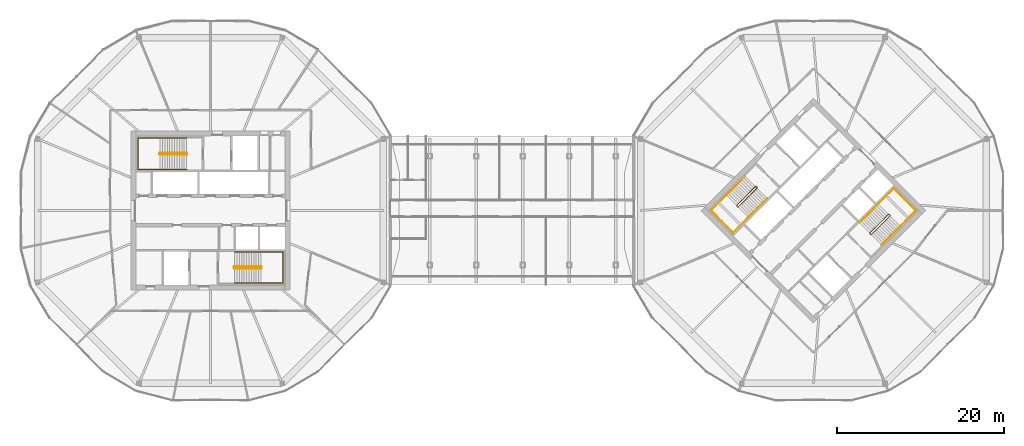
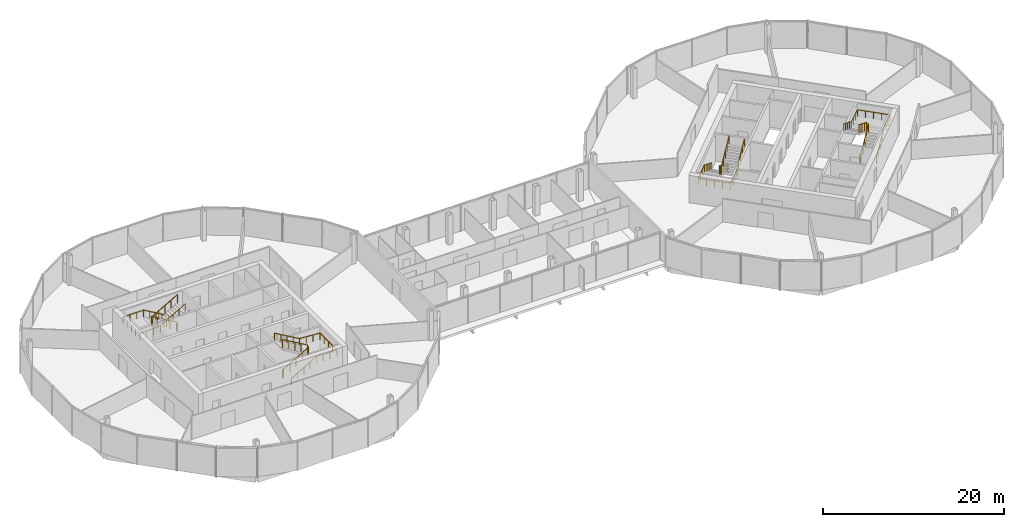
# One storey, part 26 of 26: 8 railings.
"""IFC4 building model written with IfcOpenShell, lengths in metres."""

from ifc_helpers import new_model, si_unit, direction, frame, origin, origin_2d, place, context, subcontext, project, spatial, circle, extrude, material, type_object, element, save


model = new_model("IFC4")

# Units and contexts
model_context = context("Model", 3, precision=1e-05, world=origin(), true_north=direction((0.0, 1.0)))
body_context = subcontext(model_context, "Body", "Model", "MODEL_VIEW")
ifc_project = project(units=[si_unit("LENGTHUNIT", "METRE"), si_unit("AREAUNIT", "SQUARE_METRE"), si_unit("VOLUMEUNIT", "CUBIC_METRE"), si_unit("PLANEANGLEUNIT", "RADIAN"), si_unit("MASSUNIT", "GRAM", prefix="KILO")], contexts=[model_context])

# Site, building, storey
site_placement = place(None, origin())
site = spatial("IfcSite", under=ifc_project, at=site_placement, CompositionType="ELEMENT")
building_placement = place(site_placement, origin())
building = spatial("IfcBuilding", under=site, at=building_placement, Name="Ogive Gate Towers", CompositionType="ELEMENT")
storey_placement = place(building_placement, frame((0.0, 0.0, 148.800048828125)))
storey = spatial("IfcBuildingStorey", under=building, at=storey_placement, Name="L35", CompositionType="ELEMENT", Elevation=148.800048828125)

# Railings
ifc_material = material(Name="Stainless steel", Category="steel")
railing_type_1 = type_object("IfcRailingType", Name="Stair guard 1100", PredefinedType="GUARDRAIL", material=ifc_material)
railing_1_placement = place(storey_placement, frame((-38.81494140625, 6.860107421875, 0.0)))
element("IfcRailing", 1, at=railing_1_placement, inside=storey, type_object=railing_type_1, Name="L35 ST1 stair guard 1", PredefinedType="GUARDRAIL", context=body_context, shape_type="SweptSolid", body=[
    extrude(circle(Radius=0.02392578125, at=origin_2d()), frame((0.0, 0.0, 1.076171875), z_axis=(0.0, -1.0, 0.0), x_axis=(1.0, 0.0, 0.0)), (0.0, 0.0, 1.0), 0.14501953125),
    extrude(circle(Radius=0.02392578125, at=origin_2d()), frame((0.0, -0.14501953125, 1.076171875), z_axis=(-0.19166807023, 0.746103024601, 0.637646945837), x_axis=(-0.968551454522, -0.24881334358, 0.0)), (0.0, 0.0, 1.0), 0.26123046875),
    extrude(circle(Radius=0.02392578125, at=origin_2d()), frame((-0.050048828125, 0.0498046875, 1.24267578125), z_axis=(-0.86512740231, 0.0, 0.501552168546), x_axis=(0.0, -1.0, 0.0)), (0.0, 0.0, 1.0), 3.65576171875),
    extrude(circle(Radius=0.02392578125, at=origin_2d()), frame((-3.212646484375, 0.0498046875, 3.076171875), z_axis=(-0.707106781187, -0.707106781187, 0.0), x_axis=(0.707106781187, -0.707106781187, 0.0)), (0.0, 0.0, 1.0), 0.0703125),
    extrude(circle(Radius=0.02392578125, at=origin_2d()), frame((-3.262451171875, 0.0, 3.076171875), z_axis=(0.0, -1.0, 0.0), x_axis=(1.0, 0.0, 0.0)), (0.0, 0.0, 1.0), 0.14501953125),
    extrude(circle(Radius=0.02392578125, at=origin_2d()), frame((-3.262451171875, -0.14501953125, 3.076171875), z_axis=(0.275382897532, -0.276732813696, 0.920642824102), x_axis=(0.708833529934, 0.705375805398, 0.0)), (0.0, 0.0, 1.0), 0.180908203125),
    extrude(circle(Radius=0.02392578125, at=origin_2d()), frame((-3.212646484375, -0.195068359375, 3.24267578125), z_axis=(0.86512740231, 0.0, 0.501552168546), x_axis=(0.0, 1.0, 0.0)), (0.0, 0.0, 1.0), 3.65576171875),
    extrude(circle(Radius=0.02099609375, at=origin_2d()), origin(), (0.0, 0.0, 1.0), 1.052001953125),
    extrude(circle(Radius=0.02099609375, at=origin_2d()), frame((0.0, -0.14501953125, 0.0)), (0.0, 0.0, 1.0), 1.052001953125),
    extrude(circle(Radius=0.02099609375, at=origin_2d()), frame((-0.050048828125, 0.0498046875, 0.16650390625)), (0.0, 0.0, 1.0), 1.052001953125),
    extrude(circle(Radius=0.02099609375, at=origin_2d()), frame((-0.8408203125, 0.0498046875, 0.625)), (0.0, 0.0, 1.0), 1.052001953125),
    extrude(circle(Radius=0.02099609375, at=origin_2d()), frame((-1.63134765625, 0.0498046875, 1.083251953125)), (0.0, 0.0, 1.0), 1.052001953125),
    extrude(circle(Radius=0.02099609375, at=origin_2d()), frame((-2.421875, 0.0498046875, 1.54150390625)), (0.0, 0.0, 1.0), 1.052001953125),
    extrude(circle(Radius=0.02099609375, at=origin_2d()), frame((-3.212646484375, 0.0498046875, 2.0)), (0.0, 0.0, 1.0), 1.052001953125),
    extrude(circle(Radius=0.02099609375, at=origin_2d()), frame((-3.262451171875, 0.0, 2.0)), (0.0, 0.0, 1.0), 1.052001953125),
    extrude(circle(Radius=0.02099609375, at=origin_2d()), frame((-3.262451171875, -0.14501953125, 2.0)), (0.0, 0.0, 1.0), 1.052001953125),
    extrude(circle(Radius=0.02099609375, at=origin_2d()), frame((-3.212646484375, -0.195068359375, 2.16650390625)), (0.0, 0.0, 1.0), 1.052001953125),
    extrude(circle(Radius=0.02099609375, at=origin_2d()), frame((-2.421875, -0.195068359375, 2.625)), (0.0, 0.0, 1.0), 1.052001953125),
    extrude(circle(Radius=0.02099609375, at=origin_2d()), frame((-1.63134765625, -0.195068359375, 3.083251953125)), (0.0, 0.0, 1.0), 1.052001953125),
    extrude(circle(Radius=0.02099609375, at=origin_2d()), frame((-0.8408203125, -0.195068359375, 3.54150390625)), (0.0, 0.0, 1.0), 1.052001953125),
    extrude(circle(Radius=0.02099609375, at=origin_2d()), frame((-0.050048828125, -0.195068359375, 4.0)), (0.0, 0.0, 1.0), 1.052001953125),
])
railing_2_placement = place(storey_placement, frame((-33.18505859375, -6.860107421875, 0.0)))
element("IfcRailing", 2, at=railing_2_placement, inside=storey, type_object=railing_type_1, Name="L35 ST2 stair guard 1", PredefinedType="GUARDRAIL", context=body_context, shape_type="SweptSolid", body=[
    extrude(circle(Radius=0.02392578125, at=origin_2d()), frame((0.0, 0.0, 1.076171875), z_axis=(0.0, 1.0, 0.0), x_axis=(-1.0, 0.0, 0.0)), (0.0, 0.0, 1.0), 0.14501953125),
    extrude(circle(Radius=0.02392578125, at=origin_2d()), frame((0.0, 0.14501953125, 1.076171875), z_axis=(0.19166807023, -0.746103024601, 0.637646945837), x_axis=(0.968551454522, 0.24881334358, 0.0)), (0.0, 0.0, 1.0), 0.26123046875),
    extrude(circle(Radius=0.02392578125, at=origin_2d()), frame((0.050048828125, -0.0498046875, 1.24267578125), z_axis=(0.86512740231, 0.0, 0.501552168546), x_axis=(0.0, 1.0, 0.0)), (0.0, 0.0, 1.0), 3.65576171875),
    extrude(circle(Radius=0.02392578125, at=origin_2d()), frame((3.212646484375, -0.0498046875, 3.076171875), z_axis=(0.707106781187, 0.707106781187, 0.0), x_axis=(-0.707106781187, 0.707106781187, 0.0)), (0.0, 0.0, 1.0), 0.0703125),
    extrude(circle(Radius=0.02392578125, at=origin_2d()), frame((3.262451171875, 0.0, 3.076171875), z_axis=(0.0, 1.0, 0.0), x_axis=(-1.0, 0.0, 0.0)), (0.0, 0.0, 1.0), 0.14501953125),
    extrude(circle(Radius=0.02392578125, at=origin_2d()), frame((3.262451171875, 0.14501953125, 3.076171875), z_axis=(-0.275382897532, 0.276732813696, 0.920642824102), x_axis=(-0.708833529934, -0.705375805398, 0.0)), (0.0, 0.0, 1.0), 0.180908203125),
    extrude(circle(Radius=0.02392578125, at=origin_2d()), frame((3.212646484375, 0.195068359375, 3.24267578125), z_axis=(-0.86512740231, 0.0, 0.501552168546), x_axis=(0.0, -1.0, 0.0)), (0.0, 0.0, 1.0), 3.65576171875),
    extrude(circle(Radius=0.02099609375, at=origin_2d()), origin(), (0.0, 0.0, 1.0), 1.052001953125),
    extrude(circle(Radius=0.02099609375, at=origin_2d()), frame((0.0, 0.14501953125, 0.0)), (0.0, 0.0, 1.0), 1.052001953125),
    extrude(circle(Radius=0.02099609375, at=origin_2d()), frame((0.050048828125, -0.0498046875, 0.16650390625)), (0.0, 0.0, 1.0), 1.052001953125),
    extrude(circle(Radius=0.02099609375, at=origin_2d()), frame((0.8408203125, -0.0498046875, 0.625)), (0.0, 0.0, 1.0), 1.052001953125),
    extrude(circle(Radius=0.02099609375, at=origin_2d()), frame((1.63134765625, -0.0498046875, 1.083251953125)), (0.0, 0.0, 1.0), 1.052001953125),
    extrude(circle(Radius=0.02099609375, at=origin_2d()), frame((2.421875, -0.0498046875, 1.54150390625)), (0.0, 0.0, 1.0), 1.052001953125),
    extrude(circle(Radius=0.02099609375, at=origin_2d()), frame((3.212646484375, -0.0498046875, 2.0)), (0.0, 0.0, 1.0), 1.052001953125),
    extrude(circle(Radius=0.02099609375, at=origin_2d()), frame((3.262451171875, 0.0, 2.0)), (0.0, 0.0, 1.0), 1.052001953125),
    extrude(circle(Radius=0.02099609375, at=origin_2d()), frame((3.262451171875, 0.14501953125, 2.0)), (0.0, 0.0, 1.0), 1.052001953125),
    extrude(circle(Radius=0.02099609375, at=origin_2d()), frame((3.212646484375, 0.195068359375, 2.16650390625)), (0.0, 0.0, 1.0), 1.052001953125),
    extrude(circle(Radius=0.02099609375, at=origin_2d()), frame((2.421875, 0.195068359375, 2.625)), (0.0, 0.0, 1.0), 1.052001953125),
    extrude(circle(Radius=0.02099609375, at=origin_2d()), frame((1.63134765625, 0.195068359375, 3.083251953125)), (0.0, 0.0, 1.0), 1.052001953125),
    extrude(circle(Radius=0.02099609375, at=origin_2d()), frame((0.8408203125, 0.195068359375, 3.54150390625)), (0.0, 0.0, 1.0), 1.052001953125),
    extrude(circle(Radius=0.02099609375, at=origin_2d()), frame((0.050048828125, 0.195068359375, 4.0)), (0.0, 0.0, 1.0), 1.052001953125),
])
railing_3_placement = place(storey_placement, frame((29.15869140625, 2.8603515625, 0.0)))
element("IfcRailing", 3, at=railing_3_placement, inside=storey, type_object=railing_type_1, Name="L35 ST1 stair guard 1", PredefinedType="GUARDRAIL", context=body_context, shape_type="SweptSolid", body=[
    extrude(circle(Radius=0.02392578125, at=origin_2d()), frame((0.0, 0.0, 1.076171875), z_axis=(0.707106781187, -0.707106781187, 0.0), x_axis=(0.707106781187, 0.707106781187, 0.0)), (0.0, 0.0, 1.0), 0.14501953125),
    extrude(circle(Radius=0.02392578125, at=origin_2d()), frame((0.1025390625, -0.1025390625, 1.076171875), z_axis=(-0.662818031471, 0.39264255743, 0.637576724208), x_axis=(-0.509669330572, -0.860370369942, 0.0)), (0.0, 0.0, 1.0), 0.26123046875),
    extrude(circle(Radius=0.02392578125, at=origin_2d()), frame((-0.070556640625, 0.0, 1.24267578125), z_axis=(-0.611739783828, -0.611739783828, 0.501546482156), x_axis=(0.707106781187, -0.707106781187, 0.0)), (0.0, 0.0, 1.0), 3.65576171875),
    extrude(circle(Radius=0.02392578125, at=origin_2d()), frame((-2.306884765625, -2.236328125, 3.076171875), z_axis=(0.0, -1.0, 0.0), x_axis=(1.0, 0.0, 0.0)), (0.0, 0.0, 1.0), 0.07080078125),
    extrude(circle(Radius=0.02392578125, at=origin_2d()), frame((-2.306884765625, -2.30712890625, 3.076171875), z_axis=(0.707106781187, -0.707106781187, 0.0), x_axis=(0.707106781187, 0.707106781187, 0.0)), (0.0, 0.0, 1.0), 0.14501953125),
    extrude(circle(Radius=0.02392578125, at=origin_2d()), frame((-2.204345703125, -2.40966796875, 3.076171875), z_axis=(0.391312070548, 0.0, 0.920258041771), x_axis=(0.0, 1.0, 0.0)), (0.0, 0.0, 1.0), 0.180908203125),
    extrude(circle(Radius=0.02392578125, at=origin_2d()), frame((-2.133544921875, -2.40966796875, 3.24267578125), z_axis=(0.61169798966, 0.611764776208, 0.501566972633), x_axis=(-0.707145379772, 0.707068180494, 0.0)), (0.0, 0.0, 1.0), 3.655517578125),
    extrude(circle(Radius=0.02099609375, at=origin_2d()), origin(), (0.0, 0.0, 1.0), 1.052001953125),
    extrude(circle(Radius=0.02099609375, at=origin_2d()), frame((0.1025390625, -0.1025390625, 0.0)), (0.0, 0.0, 1.0), 1.052001953125),
    extrude(circle(Radius=0.02099609375, at=origin_2d()), frame((-0.070556640625, 0.0, 0.16650390625)), (0.0, 0.0, 1.0), 1.052001953125),
    extrude(circle(Radius=0.02099609375, at=origin_2d()), frame((-0.629638671875, -0.55908203125, 0.625)), (0.0, 0.0, 1.0), 1.052001953125),
    extrude(circle(Radius=0.02099609375, at=origin_2d()), frame((-1.188720703125, -1.1181640625, 1.083251953125)), (0.0, 0.0, 1.0), 1.052001953125),
    extrude(circle(Radius=0.02099609375, at=origin_2d()), frame((-1.747802734375, -1.67724609375, 1.54150390625)), (0.0, 0.0, 1.0), 1.052001953125),
    extrude(circle(Radius=0.02099609375, at=origin_2d()), frame((-2.306884765625, -2.236328125, 2.0)), (0.0, 0.0, 1.0), 1.052001953125),
    extrude(circle(Radius=0.02099609375, at=origin_2d()), frame((-2.306884765625, -2.30712890625, 2.0)), (0.0, 0.0, 1.0), 1.052001953125),
    extrude(circle(Radius=0.02099609375, at=origin_2d()), frame((-2.204345703125, -2.40966796875, 2.0)), (0.0, 0.0, 1.0), 1.052001953125),
    extrude(circle(Radius=0.02099609375, at=origin_2d()), frame((-2.133544921875, -2.40966796875, 2.16650390625)), (0.0, 0.0, 1.0), 1.052001953125),
    extrude(circle(Radius=0.02099609375, at=origin_2d()), frame((-1.574462890625, -1.8505859375, 2.625)), (0.0, 0.0, 1.0), 1.052001953125),
    extrude(circle(Radius=0.02099609375, at=origin_2d()), frame((-1.015625, -1.29150390625, 3.083251953125)), (0.0, 0.0, 1.0), 1.052001953125),
    extrude(circle(Radius=0.02099609375, at=origin_2d()), frame((-0.45654296875, -0.732421875, 3.54150390625)), (0.0, 0.0, 1.0), 1.052001953125),
    extrude(circle(Radius=0.02099609375, at=origin_2d()), frame((0.1025390625, -0.17333984375, 4.0)), (0.0, 0.0, 1.0), 1.052001953125),
])
railing_4_placement = place(storey_placement, frame((42.84130859375, -2.8603515625, 0.0)))
element("IfcRailing", 4, at=railing_4_placement, inside=storey, type_object=railing_type_1, Name="L35 ST2 stair guard 1", PredefinedType="GUARDRAIL", context=body_context, shape_type="SweptSolid", body=[
    extrude(circle(Radius=0.02392578125, at=origin_2d()), frame((0.0, 0.0, 1.076171875), z_axis=(-0.707106781187, 0.707106781187, 0.0), x_axis=(-0.707106781187, -0.707106781187, 0.0)), (0.0, 0.0, 1.0), 0.14501953125),
    extrude(circle(Radius=0.02392578125, at=origin_2d()), frame((-0.1025390625, 0.1025390625, 1.076171875), z_axis=(0.662818031471, -0.39264255743, 0.637576724208), x_axis=(0.509669330572, 0.860370369942, 0.0)), (0.0, 0.0, 1.0), 0.26123046875),
    extrude(circle(Radius=0.02392578125, at=origin_2d()), frame((0.070556640625, 0.0, 1.24267578125), z_axis=(0.611739783828, 0.611739783828, 0.501546482156), x_axis=(-0.707106781187, 0.707106781187, 0.0)), (0.0, 0.0, 1.0), 3.65576171875),
    extrude(circle(Radius=0.02392578125, at=origin_2d()), frame((2.306884765625, 2.236328125, 3.076171875), z_axis=(0.0, 1.0, 0.0), x_axis=(-1.0, 0.0, 0.0)), (0.0, 0.0, 1.0), 0.07080078125),
    extrude(circle(Radius=0.02392578125, at=origin_2d()), frame((2.306884765625, 2.30712890625, 3.076171875), z_axis=(-0.707106781187, 0.707106781187, 0.0), x_axis=(-0.707106781187, -0.707106781187, 0.0)), (0.0, 0.0, 1.0), 0.14501953125),
    extrude(circle(Radius=0.02392578125, at=origin_2d()), frame((2.204345703125, 2.40966796875, 3.076171875), z_axis=(-0.391312070548, 0.0, 0.920258041771), x_axis=(0.0, -1.0, 0.0)), (0.0, 0.0, 1.0), 0.180908203125),
    extrude(circle(Radius=0.02392578125, at=origin_2d()), frame((2.133544921875, 2.40966796875, 3.24267578125), z_axis=(-0.61169798966, -0.611764776208, 0.501566972633), x_axis=(0.707145379772, -0.707068180494, 0.0)), (0.0, 0.0, 1.0), 3.655517578125),
    extrude(circle(Radius=0.02099609375, at=origin_2d()), origin(), (0.0, 0.0, 1.0), 1.052001953125),
    extrude(circle(Radius=0.02099609375, at=origin_2d()), frame((-0.1025390625, 0.1025390625, 0.0)), (0.0, 0.0, 1.0), 1.052001953125),
    extrude(circle(Radius=0.02099609375, at=origin_2d()), frame((0.070556640625, 0.0, 0.16650390625)), (0.0, 0.0, 1.0), 1.052001953125),
    extrude(circle(Radius=0.02099609375, at=origin_2d()), frame((0.629638671875, 0.55908203125, 0.625)), (0.0, 0.0, 1.0), 1.052001953125),
    extrude(circle(Radius=0.02099609375, at=origin_2d()), frame((1.188720703125, 1.1181640625, 1.083251953125)), (0.0, 0.0, 1.0), 1.052001953125),
    extrude(circle(Radius=0.02099609375, at=origin_2d()), frame((1.747802734375, 1.67724609375, 1.54150390625)), (0.0, 0.0, 1.0), 1.052001953125),
    extrude(circle(Radius=0.02099609375, at=origin_2d()), frame((2.306884765625, 2.236328125, 2.0)), (0.0, 0.0, 1.0), 1.052001953125),
    extrude(circle(Radius=0.02099609375, at=origin_2d()), frame((2.306884765625, 2.30712890625, 2.0)), (0.0, 0.0, 1.0), 1.052001953125),
    extrude(circle(Radius=0.02099609375, at=origin_2d()), frame((2.204345703125, 2.40966796875, 2.0)), (0.0, 0.0, 1.0), 1.052001953125),
    extrude(circle(Radius=0.02099609375, at=origin_2d()), frame((2.133544921875, 2.40966796875, 2.16650390625)), (0.0, 0.0, 1.0), 1.052001953125),
    extrude(circle(Radius=0.02099609375, at=origin_2d()), frame((1.574462890625, 1.8505859375, 2.625)), (0.0, 0.0, 1.0), 1.052001953125),
    extrude(circle(Radius=0.02099609375, at=origin_2d()), frame((1.015625, 1.29150390625, 3.083251953125)), (0.0, 0.0, 1.0), 1.052001953125),
    extrude(circle(Radius=0.02099609375, at=origin_2d()), frame((0.45654296875, 0.732421875, 3.54150390625)), (0.0, 0.0, 1.0), 1.052001953125),
    extrude(circle(Radius=0.02099609375, at=origin_2d()), frame((-0.1025390625, 0.17333984375, 4.0)), (0.0, 0.0, 1.0), 1.052001953125),
])
railing_type_2 = type_object("IfcRailingType", Name="Stair handrail 900", PredefinedType="HANDRAIL", material=ifc_material)
railing_5_placement = place(storey_placement, frame((-38.864990234375, 8.64990234375, 0.16650390625)))
element("IfcRailing", 5, at=railing_5_placement, inside=storey, type_object=railing_type_2, Name="L35 ST1 stair handrail 1", PredefinedType="HANDRAIL", context=body_context, shape_type="SweptSolid", body=[
    extrude(circle(Radius=0.02392578125, at=origin_2d()), frame((0.0, 0.0, 0.8759765625), z_axis=(-0.86512740231, 0.0, 0.501552168546), x_axis=(0.0, -1.0, 0.0)), (0.0, 0.0, 1.0), 3.65576171875),
    extrude(circle(Radius=0.02392578125, at=origin_2d()), frame((-3.16259765625, 0.0, 2.70947265625), z_axis=(-1.0, 0.0, 0.0), x_axis=(0.0, -1.0, 0.0)), (0.0, 0.0, 1.0), 2.622314453125),
    extrude(circle(Radius=0.02392578125, at=origin_2d()), frame((-5.784912109375, 0.0, 2.70947265625), z_axis=(0.0, -1.0, 0.0), x_axis=(1.0, 0.0, 0.0)), (0.0, 0.0, 1.0), 3.724853515625),
    extrude(circle(Radius=0.02392578125, at=origin_2d()), frame((-5.784912109375, -3.724853515625, 2.70947265625), z_axis=(0.997990266097, 0.0, 0.063367410993), x_axis=(0.0, 1.0, 0.0)), (0.0, 0.0, 1.0), 2.627685546875),
    extrude(circle(Radius=0.02392578125, at=origin_2d()), frame((-3.16259765625, -3.724853515625, 2.8759765625), z_axis=(0.86512740231, 0.0, 0.501552168546), x_axis=(0.0, 1.0, 0.0)), (0.0, 0.0, 1.0), 3.65576171875),
    extrude(circle(Radius=0.02099609375, at=origin_2d()), origin(), (0.0, 0.0, 1.0), 0.851806640625),
    extrude(circle(Radius=0.02099609375, at=origin_2d()), frame((-0.79052734375, 0.0, 0.45849609375)), (0.0, 0.0, 1.0), 0.851806640625),
    extrude(circle(Radius=0.02099609375, at=origin_2d()), frame((-1.581298828125, 0.0, 0.916748046875)), (0.0, 0.0, 1.0), 0.851806640625),
    extrude(circle(Radius=0.02099609375, at=origin_2d()), frame((-2.3720703125, 0.0, 1.375)), (0.0, 0.0, 1.0), 0.851806640625),
    extrude(circle(Radius=0.02099609375, at=origin_2d()), frame((-3.16259765625, 0.0, 1.83349609375)), (0.0, 0.0, 1.0), 0.851806640625),
    extrude(circle(Radius=0.02099609375, at=origin_2d()), frame((-4.03662109375, 0.0, 1.83349609375)), (0.0, 0.0, 1.0), 0.851806640625),
    extrude(circle(Radius=0.02099609375, at=origin_2d()), frame((-4.910888671875, 0.0, 1.83349609375)), (0.0, 0.0, 1.0), 0.851806640625),
    extrude(circle(Radius=0.02099609375, at=origin_2d()), frame((-5.784912109375, 0.0, 1.83349609375)), (0.0, 0.0, 1.0), 0.851806640625),
    extrude(circle(Radius=0.02099609375, at=origin_2d()), frame((-5.784912109375, -0.93115234375, 1.83349609375)), (0.0, 0.0, 1.0), 0.851806640625),
    extrude(circle(Radius=0.02099609375, at=origin_2d()), frame((-5.784912109375, -1.8623046875, 1.83349609375)), (0.0, 0.0, 1.0), 0.851806640625),
    extrude(circle(Radius=0.02099609375, at=origin_2d()), frame((-5.784912109375, -2.793701171875, 1.83349609375)), (0.0, 0.0, 1.0), 0.851806640625),
    extrude(circle(Radius=0.02099609375, at=origin_2d()), frame((-5.784912109375, -3.724853515625, 1.83349609375)), (0.0, 0.0, 1.0), 0.851806640625),
    extrude(circle(Radius=0.02099609375, at=origin_2d()), frame((-4.910888671875, -3.724853515625, 1.888916015625)), (0.0, 0.0, 1.0), 0.851806640625),
    extrude(circle(Radius=0.02099609375, at=origin_2d()), frame((-4.03662109375, -3.724853515625, 1.944580078125)), (0.0, 0.0, 1.0), 0.851806640625),
    extrude(circle(Radius=0.02099609375, at=origin_2d()), frame((-3.16259765625, -3.724853515625, 2.0)), (0.0, 0.0, 1.0), 0.851806640625),
    extrude(circle(Radius=0.02099609375, at=origin_2d()), frame((-2.3720703125, -3.724853515625, 2.45849609375)), (0.0, 0.0, 1.0), 0.851806640625),
    extrude(circle(Radius=0.02099609375, at=origin_2d()), frame((-1.581298828125, -3.724853515625, 2.916748046875)), (0.0, 0.0, 1.0), 0.851806640625),
    extrude(circle(Radius=0.02099609375, at=origin_2d()), frame((-0.79052734375, -3.724853515625, 3.375)), (0.0, 0.0, 1.0), 0.851806640625),
    extrude(circle(Radius=0.02099609375, at=origin_2d()), frame((0.0, -3.724853515625, 3.83349609375)), (0.0, 0.0, 1.0), 0.851806640625),
])
railing_6_placement = place(storey_placement, frame((-33.135009765625, -8.64990234375, 0.16650390625)))
element("IfcRailing", 6, at=railing_6_placement, inside=storey, type_object=railing_type_2, Name="L35 ST2 stair handrail 1", PredefinedType="HANDRAIL", context=body_context, shape_type="SweptSolid", body=[
    extrude(circle(Radius=0.02392578125, at=origin_2d()), frame((0.0, 0.0, 0.8759765625), z_axis=(0.86512740231, 0.0, 0.501552168546), x_axis=(0.0, 1.0, 0.0)), (0.0, 0.0, 1.0), 3.65576171875),
    extrude(circle(Radius=0.02392578125, at=origin_2d()), frame((3.16259765625, 0.0, 2.70947265625), z_axis=(1.0, 0.0, 0.0), x_axis=(0.0, 1.0, 0.0)), (0.0, 0.0, 1.0), 2.622314453125),
    extrude(circle(Radius=0.02392578125, at=origin_2d()), frame((5.784912109375, 0.0, 2.70947265625), z_axis=(0.0, 1.0, 0.0), x_axis=(-1.0, 0.0, 0.0)), (0.0, 0.0, 1.0), 3.724853515625),
    extrude(circle(Radius=0.02392578125, at=origin_2d()), frame((5.784912109375, 3.724853515625, 2.70947265625), z_axis=(-0.997990266097, 0.0, 0.063367410993), x_axis=(0.0, -1.0, 0.0)), (0.0, 0.0, 1.0), 2.627685546875),
    extrude(circle(Radius=0.02392578125, at=origin_2d()), frame((3.16259765625, 3.724853515625, 2.8759765625), z_axis=(-0.86512740231, 0.0, 0.501552168546), x_axis=(0.0, -1.0, 0.0)), (0.0, 0.0, 1.0), 3.65576171875),
    extrude(circle(Radius=0.02099609375, at=origin_2d()), origin(), (0.0, 0.0, 1.0), 0.851806640625),
    extrude(circle(Radius=0.02099609375, at=origin_2d()), frame((0.79052734375, 0.0, 0.45849609375)), (0.0, 0.0, 1.0), 0.851806640625),
    extrude(circle(Radius=0.02099609375, at=origin_2d()), frame((1.581298828125, 0.0, 0.916748046875)), (0.0, 0.0, 1.0), 0.851806640625),
    extrude(circle(Radius=0.02099609375, at=origin_2d()), frame((2.3720703125, 0.0, 1.375)), (0.0, 0.0, 1.0), 0.851806640625),
    extrude(circle(Radius=0.02099609375, at=origin_2d()), frame((3.16259765625, 0.0, 1.83349609375)), (0.0, 0.0, 1.0), 0.851806640625),
    extrude(circle(Radius=0.02099609375, at=origin_2d()), frame((4.03662109375, 0.0, 1.83349609375)), (0.0, 0.0, 1.0), 0.851806640625),
    extrude(circle(Radius=0.02099609375, at=origin_2d()), frame((4.910888671875, 0.0, 1.83349609375)), (0.0, 0.0, 1.0), 0.851806640625),
    extrude(circle(Radius=0.02099609375, at=origin_2d()), frame((5.784912109375, 0.0, 1.83349609375)), (0.0, 0.0, 1.0), 0.851806640625),
    extrude(circle(Radius=0.02099609375, at=origin_2d()), frame((5.784912109375, 0.93115234375, 1.83349609375)), (0.0, 0.0, 1.0), 0.851806640625),
    extrude(circle(Radius=0.02099609375, at=origin_2d()), frame((5.784912109375, 1.8623046875, 1.83349609375)), (0.0, 0.0, 1.0), 0.851806640625),
    extrude(circle(Radius=0.02099609375, at=origin_2d()), frame((5.784912109375, 2.793701171875, 1.83349609375)), (0.0, 0.0, 1.0), 0.851806640625),
    extrude(circle(Radius=0.02099609375, at=origin_2d()), frame((5.784912109375, 3.724853515625, 1.83349609375)), (0.0, 0.0, 1.0), 0.851806640625),
    extrude(circle(Radius=0.02099609375, at=origin_2d()), frame((4.910888671875, 3.724853515625, 1.888916015625)), (0.0, 0.0, 1.0), 0.851806640625),
    extrude(circle(Radius=0.02099609375, at=origin_2d()), frame((4.03662109375, 3.724853515625, 1.944580078125)), (0.0, 0.0, 1.0), 0.851806640625),
    extrude(circle(Radius=0.02099609375, at=origin_2d()), frame((3.16259765625, 3.724853515625, 2.0)), (0.0, 0.0, 1.0), 0.851806640625),
    extrude(circle(Radius=0.02099609375, at=origin_2d()), frame((2.3720703125, 3.724853515625, 2.45849609375)), (0.0, 0.0, 1.0), 0.851806640625),
    extrude(circle(Radius=0.02099609375, at=origin_2d()), frame((1.581298828125, 3.724853515625, 2.916748046875)), (0.0, 0.0, 1.0), 0.851806640625),
    extrude(circle(Radius=0.02099609375, at=origin_2d()), frame((0.79052734375, 3.724853515625, 3.375)), (0.0, 0.0, 1.0), 0.851806640625),
    extrude(circle(Radius=0.02099609375, at=origin_2d()), frame((0.0, 3.724853515625, 3.83349609375)), (0.0, 0.0, 1.0), 0.851806640625),
])
railing_7_placement = place(storey_placement, frame((27.857666015625, 4.090576171875, 0.16650390625)))
element("IfcRailing", 7, at=railing_7_placement, inside=storey, type_object=railing_type_2, Name="L35 ST1 stair handrail 1", PredefinedType="HANDRAIL", context=body_context, shape_type="SweptSolid", body=[
    extrude(circle(Radius=0.02392578125, at=origin_2d()), frame((0.0, 0.0, 0.8759765625), z_axis=(-0.611764776208, -0.61169798966, 0.501566972633), x_axis=(0.707068180494, -0.707145379772, 0.0)), (0.0, 0.0, 1.0), 3.655517578125),
    extrude(circle(Radius=0.02392578125, at=origin_2d()), frame((-2.236328125, -2.236083984375, 2.70947265625), z_axis=(-0.70706023191, -0.707153327399, 0.0), x_axis=(0.707153327399, -0.70706023191, 0.0)), (0.0, 0.0, 1.0), 2.62255859375),
    extrude(circle(Radius=0.02392578125, at=origin_2d()), frame((-4.090576171875, -4.090576171875, 2.70947265625), z_axis=(0.707106781187, -0.707106781187, 0.0), x_axis=(0.707106781187, 0.707106781187, 0.0)), (0.0, 0.0, 1.0), 3.72509765625),
    extrude(circle(Radius=0.02392578125, at=origin_2d()), frame((-1.45654296875, -6.724609375, 2.70947265625), z_axis=(0.705639402853, 0.705732311267, 0.063363538215), x_axis=(-0.707153327399, 0.70706023191, 0.0)), (0.0, 0.0, 1.0), 2.627685546875),
    extrude(circle(Radius=0.02392578125, at=origin_2d()), frame((0.397705078125, -4.8701171875, 2.8759765625), z_axis=(0.611764776208, 0.61169798966, 0.501566972633), x_axis=(-0.707068180494, 0.707145379772, 0.0)), (0.0, 0.0, 1.0), 3.655517578125),
    extrude(circle(Radius=0.02099609375, at=origin_2d()), origin(), (0.0, 0.0, 1.0), 0.851806640625),
    extrude(circle(Radius=0.02099609375, at=origin_2d()), frame((-0.55908203125, -0.55908203125, 0.45849609375)), (0.0, 0.0, 1.0), 0.851806640625),
    extrude(circle(Radius=0.02099609375, at=origin_2d()), frame((-1.1181640625, -1.1181640625, 0.916748046875)), (0.0, 0.0, 1.0), 0.851806640625),
    extrude(circle(Radius=0.02099609375, at=origin_2d()), frame((-1.67724609375, -1.677001953125, 1.375)), (0.0, 0.0, 1.0), 0.851806640625),
    extrude(circle(Radius=0.02099609375, at=origin_2d()), frame((-2.236328125, -2.236083984375, 1.83349609375)), (0.0, 0.0, 1.0), 0.851806640625),
    extrude(circle(Radius=0.02099609375, at=origin_2d()), frame((-2.8544921875, -2.854248046875, 1.83349609375)), (0.0, 0.0, 1.0), 0.851806640625),
    extrude(circle(Radius=0.02099609375, at=origin_2d()), frame((-3.472412109375, -3.472412109375, 1.83349609375)), (0.0, 0.0, 1.0), 0.851806640625),
    extrude(circle(Radius=0.02099609375, at=origin_2d()), frame((-4.090576171875, -4.090576171875, 1.83349609375)), (0.0, 0.0, 1.0), 0.851806640625),
    extrude(circle(Radius=0.02099609375, at=origin_2d()), frame((-3.43212890625, -4.7490234375, 1.83349609375)), (0.0, 0.0, 1.0), 0.851806640625),
    extrude(circle(Radius=0.02099609375, at=origin_2d()), frame((-2.7734375, -5.40771484375, 1.83349609375)), (0.0, 0.0, 1.0), 0.851806640625),
    extrude(circle(Radius=0.02099609375, at=origin_2d()), frame((-2.114990234375, -6.066162109375, 1.83349609375)), (0.0, 0.0, 1.0), 0.851806640625),
    extrude(circle(Radius=0.02099609375, at=origin_2d()), frame((-1.45654296875, -6.724609375, 1.83349609375)), (0.0, 0.0, 1.0), 0.851806640625),
    extrude(circle(Radius=0.02099609375, at=origin_2d()), frame((-0.83837890625, -6.1064453125, 1.888916015625)), (0.0, 0.0, 1.0), 0.851806640625),
    extrude(circle(Radius=0.02099609375, at=origin_2d()), frame((-0.220458984375, -5.48828125, 1.944580078125)), (0.0, 0.0, 1.0), 0.851806640625),
    extrude(circle(Radius=0.02099609375, at=origin_2d()), frame((0.397705078125, -4.8701171875, 2.0)), (0.0, 0.0, 1.0), 0.851806640625),
    extrude(circle(Radius=0.02099609375, at=origin_2d()), frame((0.956787109375, -4.31103515625, 2.45849609375)), (0.0, 0.0, 1.0), 0.851806640625),
    extrude(circle(Radius=0.02099609375, at=origin_2d()), frame((1.515869140625, -3.751953125, 2.916748046875)), (0.0, 0.0, 1.0), 0.851806640625),
    extrude(circle(Radius=0.02099609375, at=origin_2d()), frame((2.074951171875, -3.193115234375, 3.375)), (0.0, 0.0, 1.0), 0.851806640625),
    extrude(circle(Radius=0.02099609375, at=origin_2d()), frame((2.634033203125, -2.634033203125, 3.83349609375)), (0.0, 0.0, 1.0), 0.851806640625),
])
railing_8_placement = place(storey_placement, frame((44.142333984375, -4.090576171875, 0.16650390625)))
element("IfcRailing", 8, at=railing_8_placement, inside=storey, type_object=railing_type_2, Name="L35 ST2 stair handrail 1", PredefinedType="HANDRAIL", context=body_context, shape_type="SweptSolid", body=[
    extrude(circle(Radius=0.02392578125, at=origin_2d()), frame((0.0, 0.0, 0.8759765625), z_axis=(0.611764776208, 0.61169798966, 0.501566972633), x_axis=(-0.707068180494, 0.707145379772, 0.0)), (0.0, 0.0, 1.0), 3.655517578125),
    extrude(circle(Radius=0.02392578125, at=origin_2d()), frame((2.236328125, 2.236083984375, 2.70947265625), z_axis=(0.70706023191, 0.707153327399, 0.0), x_axis=(-0.707153327399, 0.70706023191, 0.0)), (0.0, 0.0, 1.0), 2.62255859375),
    extrude(circle(Radius=0.02392578125, at=origin_2d()), frame((4.090576171875, 4.090576171875, 2.70947265625), z_axis=(-0.707106781187, 0.707106781187, 0.0), x_axis=(-0.707106781187, -0.707106781187, 0.0)), (0.0, 0.0, 1.0), 3.72509765625),
    extrude(circle(Radius=0.02392578125, at=origin_2d()), frame((1.45654296875, 6.724609375, 2.70947265625), z_axis=(-0.705639402853, -0.705732311267, 0.063363538215), x_axis=(0.707153327399, -0.70706023191, 0.0)), (0.0, 0.0, 1.0), 2.627685546875),
    extrude(circle(Radius=0.02392578125, at=origin_2d()), frame((-0.397705078125, 4.8701171875, 2.8759765625), z_axis=(-0.611764776208, -0.61169798966, 0.501566972633), x_axis=(0.707068180494, -0.707145379772, 0.0)), (0.0, 0.0, 1.0), 3.655517578125),
    extrude(circle(Radius=0.02099609375, at=origin_2d()), origin(), (0.0, 0.0, 1.0), 0.851806640625),
    extrude(circle(Radius=0.02099609375, at=origin_2d()), frame((0.55908203125, 0.55908203125, 0.45849609375)), (0.0, 0.0, 1.0), 0.851806640625),
    extrude(circle(Radius=0.02099609375, at=origin_2d()), frame((1.1181640625, 1.1181640625, 0.916748046875)), (0.0, 0.0, 1.0), 0.851806640625),
    extrude(circle(Radius=0.02099609375, at=origin_2d()), frame((1.67724609375, 1.677001953125, 1.375)), (0.0, 0.0, 1.0), 0.851806640625),
    extrude(circle(Radius=0.02099609375, at=origin_2d()), frame((2.236328125, 2.236083984375, 1.83349609375)), (0.0, 0.0, 1.0), 0.851806640625),
    extrude(circle(Radius=0.02099609375, at=origin_2d()), frame((2.8544921875, 2.854248046875, 1.83349609375)), (0.0, 0.0, 1.0), 0.851806640625),
    extrude(circle(Radius=0.02099609375, at=origin_2d()), frame((3.472412109375, 3.472412109375, 1.83349609375)), (0.0, 0.0, 1.0), 0.851806640625),
    extrude(circle(Radius=0.02099609375, at=origin_2d()), frame((4.090576171875, 4.090576171875, 1.83349609375)), (0.0, 0.0, 1.0), 0.851806640625),
    extrude(circle(Radius=0.02099609375, at=origin_2d()), frame((3.43212890625, 4.7490234375, 1.83349609375)), (0.0, 0.0, 1.0), 0.851806640625),
    extrude(circle(Radius=0.02099609375, at=origin_2d()), frame((2.7734375, 5.40771484375, 1.83349609375)), (0.0, 0.0, 1.0), 0.851806640625),
    extrude(circle(Radius=0.02099609375, at=origin_2d()), frame((2.114990234375, 6.066162109375, 1.83349609375)), (0.0, 0.0, 1.0), 0.851806640625),
    extrude(circle(Radius=0.02099609375, at=origin_2d()), frame((1.45654296875, 6.724609375, 1.83349609375)), (0.0, 0.0, 1.0), 0.851806640625),
    extrude(circle(Radius=0.02099609375, at=origin_2d()), frame((0.83837890625, 6.1064453125, 1.888916015625)), (0.0, 0.0, 1.0), 0.851806640625),
    extrude(circle(Radius=0.02099609375, at=origin_2d()), frame((0.220458984375, 5.48828125, 1.944580078125)), (0.0, 0.0, 1.0), 0.851806640625),
    extrude(circle(Radius=0.02099609375, at=origin_2d()), frame((-0.397705078125, 4.8701171875, 2.0)), (0.0, 0.0, 1.0), 0.851806640625),
    extrude(circle(Radius=0.02099609375, at=origin_2d()), frame((-0.956787109375, 4.31103515625, 2.45849609375)), (0.0, 0.0, 1.0), 0.851806640625),
    extrude(circle(Radius=0.02099609375, at=origin_2d()), frame((-1.515869140625, 3.751953125, 2.916748046875)), (0.0, 0.0, 1.0), 0.851806640625),
    extrude(circle(Radius=0.02099609375, at=origin_2d()), frame((-2.074951171875, 3.193115234375, 3.375)), (0.0, 0.0, 1.0), 0.851806640625),
    extrude(circle(Radius=0.02099609375, at=origin_2d()), frame((-2.634033203125, 2.634033203125, 3.83349609375)), (0.0, 0.0, 1.0), 0.851806640625),
])

save(model, "model.ifc")
